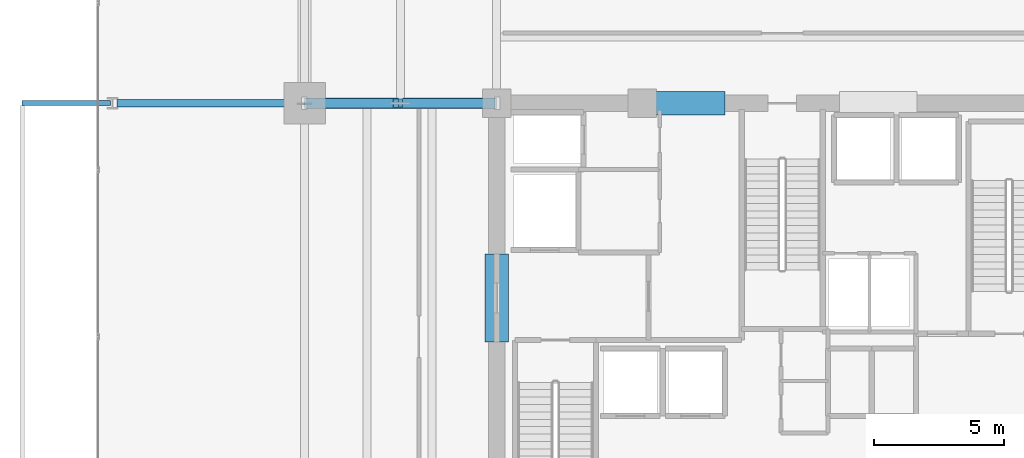
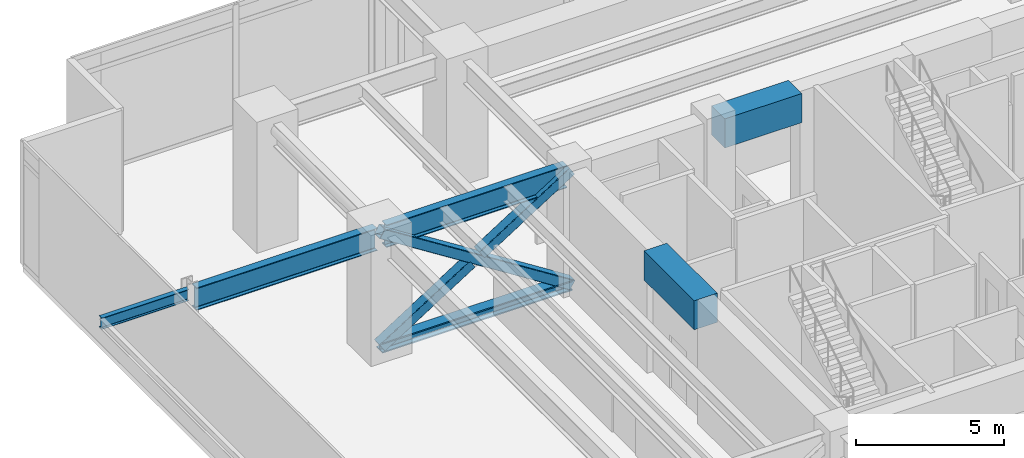
# One storey, part 8 of 26: 5 beams, 4 members.
"""IFC4 building model written with IfcOpenShell, lengths in metres."""

from ifc_helpers import new_model, si_unit, direction, frame, origin, origin_2d, place, context, subcontext, project, spatial, rectangle, hollow_rectangle, i_section, extrude, material, material_profile, profile_set, type_object, element, save


model = new_model("IFC4")

# Units and contexts
model_context = context("Model", 3, precision=1e-05, world=origin(), true_north=direction((0.0, 1.0)))
body_context = subcontext(model_context, "Body", "Model", "MODEL_VIEW")
ifc_project = project(units=[si_unit("LENGTHUNIT", "METRE"), si_unit("AREAUNIT", "SQUARE_METRE"), si_unit("VOLUMEUNIT", "CUBIC_METRE"), si_unit("PLANEANGLEUNIT", "RADIAN"), si_unit("MASSUNIT", "GRAM", prefix="KILO")], contexts=[model_context])

# Site, building, storey
site_placement = place(None, origin())
site = spatial("IfcSite", under=ifc_project, at=site_placement, CompositionType="ELEMENT")
building_placement = place(site_placement, origin())
building = spatial("IfcBuilding", under=site, at=building_placement, Name="Kovane Verandah Tower", CompositionType="ELEMENT")
storey_placement = place(building_placement, frame((0.0, 0.0, 113.0)))
storey = spatial("IfcBuildingStorey", under=building, at=storey_placement, Name="L26", CompositionType="ELEMENT", Elevation=113.0)

# Beams
ifc_material_1 = material(Name="Concrete C80/95", Category="concrete")
ifc_material_profile_1 = material_profile(ifc_material_1, rectangle(XDim=0.89990234375, YDim=1.199951171875, at=origin_2d()), Name="RCB900x1200")
ifc_profile_set_1 = profile_set([ifc_material_profile_1], Name="Concrete C80/95")
beam_type_1 = type_object("IfcBeamType", Name="BM-LINTEL-900x1200", PredefinedType="LINTEL", material=ifc_profile_set_1)
beam_1_placement = place(storey_placement, frame((34.800048828125, 36.5, 4.5), z_axis=(1.0, 0.0, 0.0), x_axis=(0.0, 1.0, 0.0)))
element("IfcBeam", 1, at=beam_1_placement, inside=storey, type_object=beam_type_1, Name="L26 Core Coupling Lintel CL-N1", PredefinedType="LINTEL", context=body_context, shape_type="SweptSolid", body=[
    extrude(rectangle(XDim=0.89990234375, YDim=1.199951171875, at=origin_2d()), origin(), (0.0, 0.0, 1.0), 3.0),
])
beam_2_placement = place(storey_placement, frame((29.0, 27.300048828125, 4.5), z_axis=(0.0, 1.0, 0.0), x_axis=(-1.0, 0.0, 0.0)))
element("IfcBeam", 2, at=beam_2_placement, inside=storey, type_object=beam_type_1, Name="L26 Core Coupling Lintel CL-W", PredefinedType="LINTEL", context=body_context, shape_type="SweptSolid", body=[
    extrude(rectangle(XDim=0.89990234375, YDim=1.199951171875, at=origin_2d()), origin(), (0.0, 0.0, 1.0), 3.39990234375),
])
ifc_material_2 = material(Name="Steel S460", Category="steel")
ifc_material_profile_2 = material_profile(ifc_material_2, i_section(OverallWidth=0.3076171875, OverallDepth=0.926513671875, WebThickness=0.01953125, FlangeThickness=0.031982421875, FilletRadius=0.01904296875, at=origin_2d()), Name="UB914x305x289")
ifc_profile_set_2 = profile_set([ifc_material_profile_2], Name="Steel S460")
beam_type_2 = type_object("IfcBeamType", Name="BM-UB914x289", PredefinedType="BEAM", material=ifc_profile_set_2)
for number, where, z_axis, x_axis, name in (
    (3, (28.820068359375, 36.5, 4.63671875), (-1.0, 0.0, 0.0), (0.0, -1.0, 0.0), "L26 Primary Tower Girder G-W2"),
    (4, (21.419921875, 36.5, 4.63671875), (-1.0, 0.0, 0.0), (0.0, -1.0, 0.0), "L26 Primary Tower Girder G-VW2"),
):
    element("IfcBeam", number, at=place(storey_placement, frame(where, z_axis=z_axis, x_axis=x_axis)), inside=storey, type_object=beam_type_2, Name=name, PredefinedType="BEAM", context=body_context, shape_type="SweptSolid", body=[
        extrude(i_section(OverallWidth=0.3076171875, OverallDepth=0.926513671875, WebThickness=0.01953125, FlangeThickness=0.031982421875, FilletRadius=0.01904296875, at=origin_2d()), origin(), (0.0, 0.0, 1.0), 7.0400390625),
    ])
ifc_material_3 = material(Name="Steel S355", Category="steel")
ifc_material_profile_3 = material_profile(ifc_material_3, i_section(OverallWidth=0.19287109375, OverallDepth=0.46728515625, WebThickness=0.011474609375, FlangeThickness=0.01953125, FilletRadius=0.01025390625, at=origin_2d()), Name="UB457x191x98")
ifc_profile_set_3 = profile_set([ifc_material_profile_3], Name="Steel S355")
beam_type_3 = type_object("IfcBeamType", Name="JST-UB457x98", PredefinedType="JOIST", material=ifc_profile_set_3)
beam_3_placement = place(storey_placement, frame((14.1201171875, 36.5, 4.866455078125), z_axis=(-1.0, 0.0, 0.0), x_axis=(0.0, -1.0, 0.0)))
element("IfcBeam", 5, at=beam_3_placement, inside=storey, type_object=beam_type_3, Name="L26 West Planter Girder 2", PredefinedType="JOIST", context=body_context, shape_type="SweptSolid", body=[
    extrude(i_section(OverallWidth=0.19287109375, OverallDepth=0.46728515625, WebThickness=0.011474609375, FlangeThickness=0.01953125, FilletRadius=0.01025390625, at=origin_2d()), origin(), (0.0, 0.0, 1.0), 3.39990234375),
])

# Members
ifc_material_profile_4 = material_profile(ifc_material_2, hollow_rectangle(XDim=0.39990234375, YDim=0.39990234375, WallThickness=0.02001953125, InnerFilletRadius=0.02001953125, OuterFilletRadius=0.0400390625, at=origin_2d()), Name="SHS400x400x20")
ifc_profile_set_4 = profile_set([ifc_material_profile_4], Name="Steel S460")
member_type_1 = type_object("IfcMemberType", Name="MEM-BR-SHS400", PredefinedType="BRACE", material=ifc_profile_set_4)
member_1_placement = place(storey_placement, frame((29.0, 36.5, 0.1201171875), z_axis=(-0.844130190712, 0.0, 0.536138248149), x_axis=(0.0, -1.0, 0.0)))
element("IfcMember", 6, at=member_1_placement, inside=storey, type_object=member_type_1, Name="L26 Outrigger Continuous Diagonal OW2", PredefinedType="BRACE", context=body_context, shape_type="SweptSolid", body=[
    extrude(hollow_rectangle(XDim=0.39990234375, YDim=0.39990234375, WallThickness=0.02001953125, InnerFilletRadius=0.02001953125, OuterFilletRadius=0.0400390625, at=origin_2d()), origin(), (0.0, 0.0, 1.0), 8.766357421875),
])
member_2_placement = place(storey_placement, frame((21.60009765625, 36.5, 0.1201171875), z_axis=(0.844134458602, 0.0, 0.536131528452), x_axis=(0.0, 1.0, 0.0)))
element("IfcMember", 7, at=member_2_placement, inside=storey, type_object=member_type_1, Name="L26 Outrigger Split Diagonal Lower OW2", PredefinedType="BRACE", context=body_context, shape_type="SweptSolid", body=[
    extrude(hollow_rectangle(XDim=0.39990234375, YDim=0.39990234375, WallThickness=0.02001953125, InnerFilletRadius=0.02001953125, OuterFilletRadius=0.0400390625, at=origin_2d()), origin(), (0.0, 0.0, 1.0), 4.1630859375),
])
member_3_placement = place(storey_placement, frame((25.485595703125, 36.5, 2.587890625), z_axis=(0.844124775214, 0.0, 0.536146774559), x_axis=(0.0, 1.0, 0.0)))
element("IfcMember", 8, at=member_3_placement, inside=storey, type_object=member_type_1, Name="L26 Outrigger Split Diagonal Upper OW2", PredefinedType="BRACE", context=body_context, shape_type="SweptSolid", body=[
    extrude(hollow_rectangle(XDim=0.39990234375, YDim=0.39990234375, WallThickness=0.02001953125, InnerFilletRadius=0.02001953125, OuterFilletRadius=0.0400390625, at=origin_2d()), origin(), (0.0, 0.0, 1.0), 4.163330078125),
])
ifc_material_profile_5 = material_profile(ifc_material_2, i_section(OverallWidth=0.406982421875, OverallDepth=0.4189453125, WebThickness=0.030517578125, FlangeThickness=0.04931640625, FilletRadius=0.01513671875, at=origin_2d()), Name="UC356x406x393")
ifc_profile_set_5 = profile_set([ifc_material_profile_5], Name="Steel S460")
member_type_2 = type_object("IfcMemberType", Name="MEM-CHORD-UC393", PredefinedType="CHORD", material=ifc_profile_set_5)
member_4_placement = place(storey_placement, frame((29.0, 36.5, 0.1201171875), z_axis=(-1.0, 0.0, 0.0), x_axis=(0.0, -1.0, 0.0)))
element("IfcMember", 9, at=member_4_placement, inside=storey, type_object=member_type_2, Name="L26 Outrigger Bottom Chord OW2", PredefinedType="CHORD", context=body_context, shape_type="SweptSolid", body=[
    extrude(i_section(OverallWidth=0.406982421875, OverallDepth=0.4189453125, WebThickness=0.030517578125, FlangeThickness=0.04931640625, FilletRadius=0.01513671875, at=origin_2d()), origin(), (0.0, 0.0, 1.0), 7.39990234375),
])

save(model, "model.ifc")
